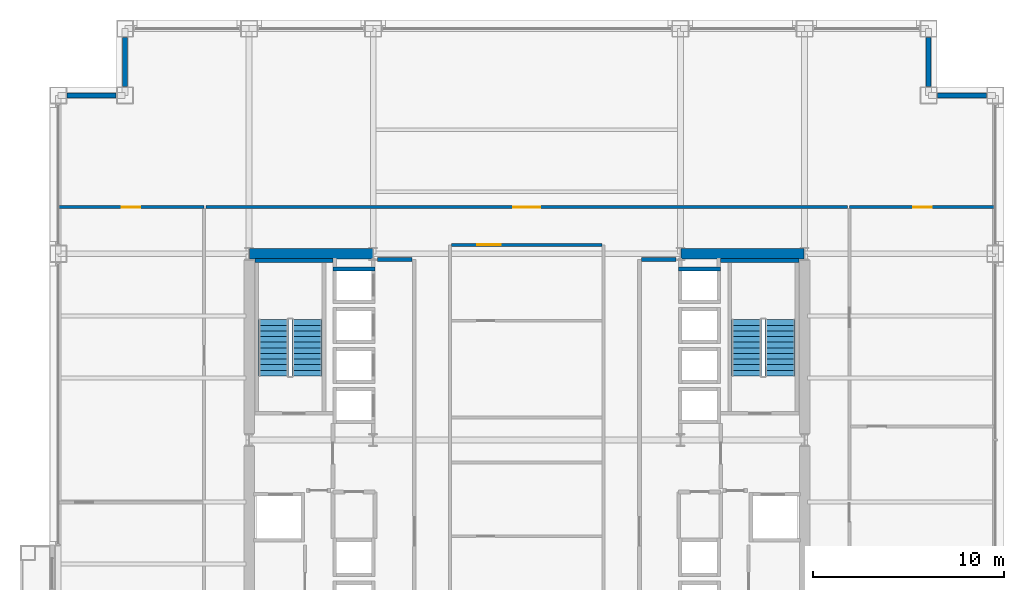
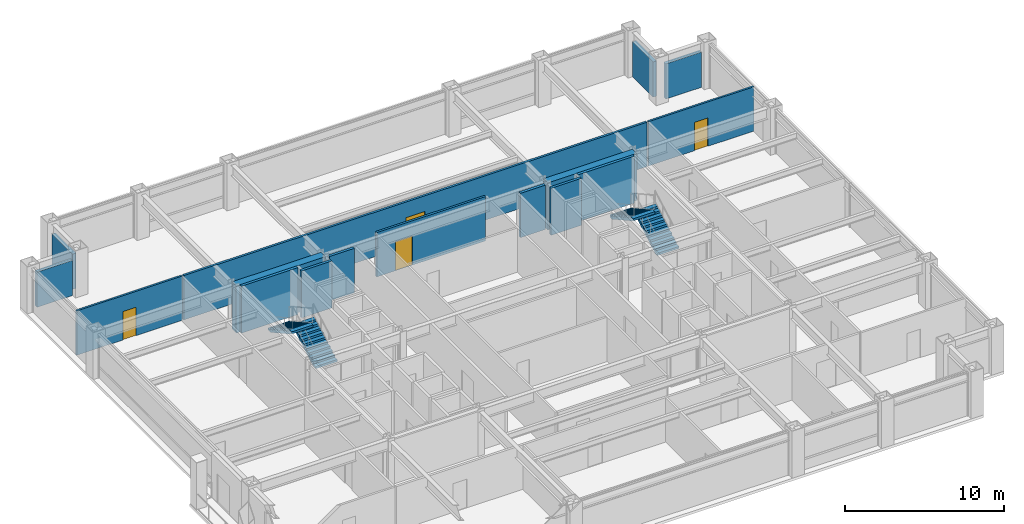
# One storey, part 27 of 29: 16 walls, 4 doors, 4 stair flights, 4 openings, 2 elements without a shape of their own.
"""IFC4 building model written with IfcOpenShell, lengths in metres."""

from ifc_helpers import new_model, si_unit, direction, frame, frame_2d, origin, place, context, subcontext, project, spatial, polyline, rectangle, outline, extrude, material, layer, layer_set, type_object, element, fill, aggregate, save


model = new_model("IFC4")

# Units and contexts
model_context = context("Model", 3, precision=1e-05, world=origin(), true_north=direction((0.0, 1.0)))
body_context = subcontext(model_context, "Body", "Model", "MODEL_VIEW")
ifc_project = project(units=[si_unit("LENGTHUNIT", "METRE"), si_unit("AREAUNIT", "SQUARE_METRE"), si_unit("VOLUMEUNIT", "CUBIC_METRE"), si_unit("PLANEANGLEUNIT", "RADIAN"), si_unit("MASSUNIT", "GRAM", prefix="KILO")], contexts=[model_context])

# Site, building, storey
site_placement = place(None, origin())
site = spatial("IfcSite", under=ifc_project, at=site_placement, CompositionType="ELEMENT")
building_placement = place(site_placement, origin())
building = spatial("IfcBuilding", under=site, at=building_placement, Name="Brelmoor Portico Tower", CompositionType="ELEMENT")
storey_placement = place(building_placement, frame((0.0, 0.0, 60.0)))
storey = spatial("IfcBuildingStorey", under=building, at=storey_placement, Name="L15", CompositionType="ELEMENT", Elevation=60.0)

# Walls
ifc_material_1 = material(Name="Concrete C60", Category="concrete")
ifc_layer_1 = layer(ifc_material_1, 0.550048828125)
ifc_layer_set_1 = layer_set([ifc_layer_1], Name="Concrete C60")
wall_type_1 = type_object("IfcWallType", Name="WL-CORE-550", PredefinedType="SHEAR", material=ifc_layer_set_1)
for number, where, z_axis, x_axis, name in (
    (1, (-14.530029296875, 9.75, -0.199951171875), (0.0, 0.0, 1.0), (1.0, 0.0, 0.0), "L15 WC North Shear Wall"),
    (2, (8.070068359375, 9.75, -0.199951171875), (0.0, 0.0, 1.0), (1.0, 0.0, 0.0), "L15 EC North Shear Wall"),
):
    element("IfcWall", number, at=place(storey_placement, frame(where, z_axis=z_axis, x_axis=x_axis)), inside=storey, type_object=wall_type_1, Name=name, PredefinedType="SHEAR", context=body_context, shape_type="SweptSolid", body=[
        extrude(rectangle(XDim=6.4599609375, YDim=0.550048828125, at=frame_2d((3.22998046875, 0.0))), origin(), (0.0, 0.0, 1.0), 3.599853515625),
    ])
ifc_material_2 = material(Name="Precast Concrete C40 Insulated Facade Wall", Category="concrete")
ifc_layer_2 = layer(ifc_material_2, 0.25)
ifc_layer_set_2 = layer_set([ifc_layer_2], Name="Precast Concrete C40 Insulated Facade Wall")
wall_type_2 = type_object("IfcWallType", Name="WL-EXT-250", PredefinedType="STANDARD", material=ifc_layer_set_2)
for number, where, z_axis, x_axis, name in (
    (3, (-24.090087890625, 18.050048828125, 0.0), (0.0, 0.0, 1.0), (1.0, 0.0, 0.0), "L15 Corner Notch Facade Wall NNWH1"),
    (4, (-21.050048828125, 18.510009765625, 0.0), (0.0, 0.0, 1.0), (0.0, 1.0, 0.0), "L15 Corner Notch Facade Wall NNWV1"),
    (5, (21.510009765625, 18.050048828125, 0.0), (0.0, 0.0, 1.0), (1.0, 0.0, 0.0), "L15 Corner Notch Facade Wall NNEH1"),
    (6, (21.050048828125, 18.510009765625, 0.0), (0.0, 0.0, 1.0), (0.0, 1.0, 0.0), "L15 Corner Notch Facade Wall NNEV1"),
):
    element("IfcWall", number, at=place(storey_placement, frame(where, z_axis=z_axis, x_axis=x_axis)), inside=storey, type_object=wall_type_2, Name=name, PredefinedType="STANDARD", context=body_context, shape_type="SweptSolid", body=[
        extrude(rectangle(XDim=2.580078125, YDim=0.25, at=frame_2d((1.2900390625, 0.0))), origin(), (0.0, 0.0, 1.0), 2.699951171875),
    ])

# Wall, opening, door
ifc_material_3 = material(Name="Insulated Stud Suite Partition", Category="gypsum")
ifc_layer_3 = layer(ifc_material_3, 0.139892578125)
ifc_layer_set_3 = layer_set([ifc_layer_3], Name="Insulated Stud Suite Partition")
wall_type_3 = type_object("IfcWallType", Name="WL-PART-140", PredefinedType="PARTITIONING", material=ifc_layer_set_3)
wall_1_placement = place(storey_placement, frame((-24.56005859375, 12.199951171875, 0.0), z_axis=(0.0, 0.0, 1.0), x_axis=(1.0, 0.0, 0.0)))
wall_1 = element("IfcWall", 7, at=wall_1_placement, inside=storey, type_object=wall_type_3, Name="L15 North Outer Closure WL", PredefinedType="PARTITIONING", context=body_context, shape_type="SweptSolid", body=[
    extrude(rectangle(XDim=7.66015625, YDim=0.139892578125, at=frame_2d((3.830078125, 0.0))), origin(), (0.0, 0.0, 1.0), 3.39990234375),
])
opening_1_placement = place(wall_1_placement, frame((3.35009765625, 0.0, 0.0)))
opening_1 = element("IfcOpeningElement", 8, at=opening_1_placement, cuts=wall_1, Name="Opening D-IN2", PredefinedType="OPENING", context=body_context, shape_type="SweptSolid", body=[
    extrude(rectangle(XDim=0.9599609375, YDim=2.179931640625, at=frame_2d((0.47998046875, 1.08984375))), frame((0.0, 0.079833984375, 0.0), z_axis=(0.0, -1.0, 0.0), x_axis=(1.0, 0.0, 0.0)), (0.0, 0.0, 1.0), 0.159912109375),
])
ifc_material_4 = material(Name="Lacquered Timber Suite Door", Category="wood")
door_type_1 = type_object("IfcDoorType", Name="DR-INT-950", OperationType="NOTDEFINED", PredefinedType="DOOR", material=ifc_material_4)
door_1_placement = place(opening_1_placement, origin())
door_1 = element("IfcDoor", 9, at=door_1_placement, inside=storey, type_object=door_type_1, Name="D-0679 L15 WL North Corner Suite Door", OperationType="SINGLE_SWING_LEFT", OverallHeight=2.179931640625, OverallWidth=0.9599609375, PredefinedType="DOOR", context=body_context, shape_type="SweptSolid", body=[
    extrude(rectangle(XDim=0.9599609375, YDim=2.179931640625, at=frame_2d((0.47998046875, 1.08984375))), frame((0.0, 0.02490234375, 0.0), z_axis=(0.0, -1.0, 0.0), x_axis=(1.0, 0.0, 0.0)), (0.0, 0.0, 1.0), 0.050048828125),
])
fill(opening_1, door_1)

wall_2_placement = place(storey_placement, frame((16.89990234375, 12.199951171875, 0.0), z_axis=(0.0, 0.0, 1.0), x_axis=(1.0, 0.0, 0.0)))
wall_2 = element("IfcWall", 10, at=wall_2_placement, inside=storey, type_object=wall_type_3, Name="L15 North Outer Closure ER", PredefinedType="PARTITIONING", context=body_context, shape_type="SweptSolid", body=[
    extrude(rectangle(XDim=7.66015625, YDim=0.139892578125, at=frame_2d((3.830078125, 0.0))), origin(), (0.0, 0.0, 1.0), 3.39990234375),
])
opening_2_placement = place(wall_2_placement, frame((3.35009765625, 0.0, 0.0)))
opening_2 = element("IfcOpeningElement", 11, at=opening_2_placement, cuts=wall_2, Name="Opening D-IN2", PredefinedType="OPENING", context=body_context, shape_type="SweptSolid", body=[
    extrude(rectangle(XDim=0.9599609375, YDim=2.179931640625, at=frame_2d((0.47998046875, 1.08984375))), frame((0.0, 0.079833984375, 0.0), z_axis=(0.0, -1.0, 0.0), x_axis=(1.0, 0.0, 0.0)), (0.0, 0.0, 1.0), 0.159912109375),
])
door_2_placement = place(opening_2_placement, origin())
door_2 = element("IfcDoor", 12, at=door_2_placement, inside=storey, type_object=door_type_1, Name="D-0678 L15 ER North Corner Suite Door", OperationType="SINGLE_SWING_RIGHT", OverallHeight=2.179931640625, OverallWidth=0.9599609375, PredefinedType="DOOR", context=body_context, shape_type="SweptSolid", body=[
    extrude(rectangle(XDim=0.9599609375, YDim=2.179931640625, at=frame_2d((0.47998046875, 1.08984375))), frame((0.0, 0.02490234375, 0.0), z_axis=(0.0, -1.0, 0.0), x_axis=(1.0, 0.0, 0.0)), (0.0, 0.0, 1.0), 0.050048828125),
])
fill(opening_2, door_2)

ifc_material_5 = material(Name="Twin-Frame Acoustic Partition", Category="gypsum")
ifc_layer_4 = layer(ifc_material_5, 0.159912109375)
ifc_layer_set_4 = layer_set([ifc_layer_4], Name="Twin-Frame Acoustic Partition")
wall_type_4 = type_object("IfcWallType", Name="WL-PART-160", PredefinedType="PARTITIONING", material=ifc_layer_set_4)
wall_3_placement = place(storey_placement, frame((-3.949951171875, 10.219970703125, 0.0), z_axis=(0.0, 0.0, 1.0), x_axis=(1.0, 0.0, 0.0)))
wall_3 = element("IfcWall", 13, at=wall_3_placement, inside=storey, type_object=wall_type_4, Name="L15 Central Meeting Corridor Wall", PredefinedType="PARTITIONING", context=body_context, shape_type="SweptSolid", body=[
    extrude(rectangle(XDim=7.89990234375, YDim=0.159912109375, at=frame_2d((3.949951171875, 0.0))), origin(), (0.0, 0.0, 1.0), 3.39990234375),
])
opening_3_placement = place(wall_3_placement, frame((1.35009765625, 0.0, 0.0)))
opening_3 = element("IfcOpeningElement", 14, at=opening_3_placement, cuts=wall_3, Name="Opening D-SU1", PredefinedType="OPENING", context=body_context, shape_type="SweptSolid", body=[
    extrude(rectangle(XDim=1.239990234375, YDim=2.239990234375, at=frame_2d((0.6201171875, 1.1201171875))), frame((0.0, 0.08984375, 0.0), z_axis=(0.0, -1.0, 0.0), x_axis=(1.0, 0.0, 0.0)), (0.0, 0.0, 1.0), 0.179931640625),
])
ifc_material_6 = material(Name="Glazed Timber Executive Suite Door", Category="wood")
door_type_2 = type_object("IfcDoorType", Name="DR-SUITE-1200", OperationType="NOTDEFINED", PredefinedType="DOOR", material=ifc_material_6)
door_3_placement = place(opening_3_placement, origin())
door_3 = element("IfcDoor", 15, at=door_3_placement, inside=storey, type_object=door_type_2, Name="D-0663 L15 Client Meeting Room Door", OperationType="SINGLE_SWING_LEFT", OverallHeight=2.239990234375, OverallWidth=1.239990234375, PredefinedType="DOOR", context=body_context, shape_type="SweptSolid", body=[
    extrude(rectangle(XDim=1.239990234375, YDim=2.239990234375, at=frame_2d((0.6201171875, 1.1201171875))), frame((0.0, 0.02490234375, 0.0), z_axis=(0.0, -1.0, 0.0), x_axis=(1.0, 0.0, 0.0)), (0.0, 0.0, 1.0), 0.050048828125),
])
fill(opening_3, door_3)

wall_4_placement = place(storey_placement, frame((-16.800048828125, 12.199951171875, 0.0), z_axis=(0.0, 0.0, 1.0), x_axis=(1.0, 0.0, 0.0)))
wall_4 = element("IfcWall", 16, at=wall_4_placement, inside=storey, type_object=wall_type_4, Name="L15 North Corridor Partition", PredefinedType="PARTITIONING", context=body_context, shape_type="SweptSolid", body=[
    extrude(rectangle(XDim=33.60009765625, YDim=0.159912109375, at=frame_2d((16.800048828125, 0.0))), origin(), (0.0, 0.0, 1.0), 3.39990234375),
])
opening_4_placement = place(wall_4_placement, frame((16.10009765625, 0.0, 0.0)))
opening_4 = element("IfcOpeningElement", 17, at=opening_4_placement, cuts=wall_4, Name="Opening D-SU2", PredefinedType="OPENING", context=body_context, shape_type="SweptSolid", body=[
    extrude(rectangle(XDim=1.39990234375, YDim=2.199951171875, at=frame_2d((0.699951171875, 1.10009765625))), frame((0.0, 0.08984375, 0.0), z_axis=(0.0, -1.0, 0.0), x_axis=(1.0, 0.0, 0.0)), (0.0, 0.0, 1.0), 0.179931640625),
])
ifc_material_7 = material(Name="Double-Leaf Acoustic Suite Door", Category="timber")
door_type_3 = type_object("IfcDoorType", Name="DR-SUITE-1400", OperationType="NOTDEFINED", PredefinedType="DOOR", material=ifc_material_7)
door_4_placement = place(opening_4_placement, origin())
door_4 = element("IfcDoor", 18, at=door_4_placement, inside=storey, type_object=door_type_3, Name="D-0677 L15 North Project Reception Concierge 1 Door", OperationType="DOUBLE_DOOR_SINGLE_SWING", OverallHeight=2.199951171875, OverallWidth=1.39990234375, PredefinedType="DOOR", context=body_context, shape_type="SweptSolid", body=[
    extrude(rectangle(XDim=1.39990234375, YDim=2.199951171875, at=frame_2d((0.699951171875, 1.10009765625))), frame((0.0, 0.02490234375, 0.0), z_axis=(0.0, -1.0, 0.0), x_axis=(1.0, 0.0, 0.0)), (0.0, 0.0, 1.0), 0.050048828125),
])
fill(opening_4, door_4)

# Walls
ifc_material_8 = material(Name="Double-Stud Gypsum Fire Partition", Category="gypsum")
ifc_layer_5 = layer(ifc_material_8, 0.199951171875)
ifc_layer_set_5 = layer_set([ifc_layer_5], Name="Double-Stud Gypsum Fire Partition")
wall_type_5 = type_object("IfcWallType", Name="WL-PART-200", PredefinedType="PARTITIONING", material=ifc_layer_set_5)
for number, where, z_axis, x_axis, name in (
    (19, (-6.02001953125, 9.449951171875, 0.0), (0.0, 0.0, 1.0), (-1.0, 0.0, 0.0), "L15 W Lift Lobby North End Wall"),
    (20, (6.02001953125, 9.449951171875, 0.0), (0.0, 0.0, 1.0), (1.0, 0.0, 0.0), "L15 E Lift Lobby North End Wall"),
):
    element("IfcWall", number, at=place(storey_placement, frame(where, z_axis=z_axis, x_axis=x_axis)), inside=storey, type_object=wall_type_5, Name=name, PredefinedType="PARTITIONING", context=body_context, shape_type="SweptSolid", body=[
        extrude(rectangle(XDim=1.800048828125, YDim=0.199951171875, at=frame_2d((0.89990234375, 0.0))), origin(), (0.0, 0.0, 1.0), 3.39990234375),
    ])
ifc_material_9 = material(Name="Precast Concrete C40", Category="concrete")
ifc_layer_6 = layer(ifc_material_9, 0.18994140625)
ifc_layer_set_6 = layer_set([ifc_layer_6], Name="Precast Concrete C40")
wall_type_6 = type_object("IfcWallType", Name="WL-SHAFT-180", PredefinedType="SOLIDWALL", material=ifc_layer_set_6)
for number, where, z_axis, x_axis, name in (
    (21, (-10.14990234375, 8.955078125, -0.199951171875), (0.0, 0.0, 1.0), (1.0, 0.0, 0.0), "L15 Lift PL4 Hoistway North Wall"),
    (22, (7.949951171875, 8.955078125, -0.199951171875), (0.0, 0.0, 1.0), (1.0, 0.0, 0.0), "L15 Lift PM4 Hoistway North Wall"),
):
    element("IfcWall", number, at=place(storey_placement, frame(where, z_axis=z_axis, x_axis=x_axis)), inside=storey, type_object=wall_type_6, Name=name, PredefinedType="SOLIDWALL", context=body_context, shape_type="SweptSolid", body=[
        extrude(rectangle(XDim=2.199951171875, YDim=0.18994140625, at=frame_2d((1.10009765625, 0.0))), origin(), (0.0, 0.0, 1.0), 3.599853515625),
    ])
ifc_material_10 = material(Name="Concrete C40", Category="concrete")
ifc_layer_7 = layer(ifc_material_10, 0.199951171875)
ifc_layer_set_7 = layer_set([ifc_layer_7], Name="Concrete C40")
wall_type_7 = type_object("IfcWallType", Name="WL-SHAFT-RC200", PredefinedType="SOLIDWALL", material=ifc_layer_set_7)
for number, where, z_axis, x_axis, name in (
    (23, (-14.25, 9.39990234375, -0.199951171875), (0.0, 0.0, 1.0), (1.0, 0.0, 0.0), "L15 ST-W Structural Stair Wall N"),
    (24, (10.14990234375, 9.39990234375, -0.199951171875), (0.0, 0.0, 1.0), (1.0, 0.0, 0.0), "L15 ST-E Structural Stair Wall N"),
):
    element("IfcWall", number, at=place(storey_placement, frame(where, z_axis=z_axis, x_axis=x_axis)), inside=storey, type_object=wall_type_7, Name=name, PredefinedType="SOLIDWALL", context=body_context, shape_type="SweptSolid", body=[
        extrude(rectangle(XDim=4.10009765625, YDim=0.199951171875, at=frame_2d((2.050048828125, 0.0))), origin(), (0.0, 0.0, 1.0), 3.599853515625),
    ])

# Stair, stair flights
stair_type_1 = type_object("IfcStairType", Name="ST-CORE-W", PredefinedType="HALF_TURN_STAIR", material=ifc_material_10)
stair_1_placement = place(storey_placement, origin())
stair_1 = element("IfcStair", 25, at=stair_1_placement, inside=storey, type_object=stair_type_1, Name="L15 Protected Core Exit Stair ST-W", PredefinedType="HALF_TURN_STAIR")
stair_flight_type = type_object("IfcStairFlightType", Name="SF-CORE-1850", PredefinedType="STRAIGHT", material=ifc_material_10)
stair_flight_1_placement = place(storey_placement, frame((-11.510009765625, 3.35009765625, 0.0), z_axis=(0.0, 0.0, 1.0), x_axis=(0.0, 1.0, 0.0)))
stair_flight_1 = element("IfcStairFlight", 26, at=stair_flight_1_placement, type_object=stair_flight_type, Name="ST-W flight 1", NumberOfRisers=11, NumberOfTreads=10, PredefinedType="STRAIGHT", RiserHeight=0.163636364, TreadLength=0.295, context=body_context, shape_type="SweptSolid", body=[
    extrude(outline(polyline([(0.0, 0.0), (0.0, 0.16357421875), (0.294921875, 0.16357421875), (0.294921875, 0.327392578125), (0.590087890625, 0.327392578125), (0.590087890625, 0.490966796875), (0.885009765625, 0.490966796875), (0.885009765625, 0.654541015625), (1.179931640625, 0.654541015625), (1.179931640625, 0.818115234375), (1.47509765625, 0.818115234375), (1.47509765625, 0.98193359375), (1.77001953125, 0.98193359375), (1.77001953125, 1.1455078125), (2.06494140625, 1.1455078125), (2.06494140625, 1.30908203125), (2.360107421875, 1.30908203125), (2.360107421875, 1.47265625), (2.655029296875, 1.47265625), (2.655029296875, 1.636474609375), (2.949951171875, 1.636474609375), (2.949951171875, 1.800048828125), (2.949951171875, 1.46484375), (0.30908203125, 0.0), (0.0, 0.0)])), frame((0.0, 0.780029296875, 0.0), z_axis=(0.0, -1.0, 0.0), x_axis=(1.0, 0.0, 0.0)), (0.0, 0.0, 1.0), 1.56005859375),
])
stair_flight_2_placement = place(storey_placement, frame((-13.27001953125, 6.300048828125, 1.800048828125), z_axis=(0.0, 0.0, 1.0), x_axis=(0.0, -1.0, 0.0)))
stair_flight_2 = element("IfcStairFlight", 27, at=stair_flight_2_placement, type_object=stair_flight_type, Name="ST-W flight 2", NumberOfRisers=11, NumberOfTreads=10, PredefinedType="STRAIGHT", RiserHeight=0.163636364, TreadLength=0.295, context=body_context, shape_type="SweptSolid", body=[
    extrude(outline(polyline([(0.0, 0.0), (0.0, 0.16357421875), (0.294921875, 0.16357421875), (0.294921875, 0.327392578125), (0.590087890625, 0.327392578125), (0.590087890625, 0.490966796875), (0.885009765625, 0.490966796875), (0.885009765625, 0.654541015625), (1.179931640625, 0.654541015625), (1.179931640625, 0.818115234375), (1.47509765625, 0.818115234375), (1.47509765625, 0.98193359375), (1.77001953125, 0.98193359375), (1.77001953125, 1.1455078125), (2.06494140625, 1.1455078125), (2.06494140625, 1.30908203125), (2.360107421875, 1.30908203125), (2.360107421875, 1.47265625), (2.655029296875, 1.47265625), (2.655029296875, 1.636474609375), (2.949951171875, 1.636474609375), (2.949951171875, 1.800048828125), (2.949951171875, 1.46484375), (0.30908203125, 0.0), (0.0, 0.0)])), frame((0.0, 0.780029296875, 0.0), z_axis=(0.0, -1.0, 0.0), x_axis=(1.0, 0.0, 0.0)), (0.0, 0.0, 1.0), 1.56005859375),
])
aggregate(stair_1, [stair_flight_1, stair_flight_2])

stair_type_2 = type_object("IfcStairType", Name="ST-CORE-E", PredefinedType="HALF_TURN_STAIR", material=ifc_material_10)
stair_2_placement = place(storey_placement, origin())
stair_2 = element("IfcStair", 28, at=stair_2_placement, inside=storey, type_object=stair_type_2, Name="L15 Protected Core Exit Stair ST-E", PredefinedType="HALF_TURN_STAIR")
stair_flight_3_placement = place(storey_placement, frame((13.27001953125, 3.35009765625, 0.0), z_axis=(0.0, 0.0, 1.0), x_axis=(0.0, 1.0, 0.0)))
stair_flight_3 = element("IfcStairFlight", 29, at=stair_flight_3_placement, type_object=stair_flight_type, Name="ST-E flight 1", NumberOfRisers=11, NumberOfTreads=10, PredefinedType="STRAIGHT", RiserHeight=0.163636364, TreadLength=0.295, context=body_context, shape_type="SweptSolid", body=[
    extrude(outline(polyline([(0.0, 0.0), (0.0, 0.16357421875), (0.294921875, 0.16357421875), (0.294921875, 0.327392578125), (0.590087890625, 0.327392578125), (0.590087890625, 0.490966796875), (0.885009765625, 0.490966796875), (0.885009765625, 0.654541015625), (1.179931640625, 0.654541015625), (1.179931640625, 0.818115234375), (1.47509765625, 0.818115234375), (1.47509765625, 0.98193359375), (1.77001953125, 0.98193359375), (1.77001953125, 1.1455078125), (2.06494140625, 1.1455078125), (2.06494140625, 1.30908203125), (2.360107421875, 1.30908203125), (2.360107421875, 1.47265625), (2.655029296875, 1.47265625), (2.655029296875, 1.636474609375), (2.949951171875, 1.636474609375), (2.949951171875, 1.800048828125), (2.949951171875, 1.46484375), (0.30908203125, 0.0), (0.0, 0.0)])), frame((0.0, 0.780029296875, 0.0), z_axis=(0.0, -1.0, 0.0), x_axis=(1.0, 0.0, 0.0)), (0.0, 0.0, 1.0), 1.56005859375),
])
stair_flight_4_placement = place(storey_placement, frame((11.510009765625, 6.300048828125, 1.800048828125), z_axis=(0.0, 0.0, 1.0), x_axis=(0.0, -1.0, 0.0)))
stair_flight_4 = element("IfcStairFlight", 30, at=stair_flight_4_placement, type_object=stair_flight_type, Name="ST-E flight 2", NumberOfRisers=11, NumberOfTreads=10, PredefinedType="STRAIGHT", RiserHeight=0.163636364, TreadLength=0.295, context=body_context, shape_type="SweptSolid", body=[
    extrude(outline(polyline([(0.0, 0.0), (0.0, 0.16357421875), (0.294921875, 0.16357421875), (0.294921875, 0.327392578125), (0.590087890625, 0.327392578125), (0.590087890625, 0.490966796875), (0.885009765625, 0.490966796875), (0.885009765625, 0.654541015625), (1.179931640625, 0.654541015625), (1.179931640625, 0.818115234375), (1.47509765625, 0.818115234375), (1.47509765625, 0.98193359375), (1.77001953125, 0.98193359375), (1.77001953125, 1.1455078125), (2.06494140625, 1.1455078125), (2.06494140625, 1.30908203125), (2.360107421875, 1.30908203125), (2.360107421875, 1.47265625), (2.655029296875, 1.47265625), (2.655029296875, 1.636474609375), (2.949951171875, 1.636474609375), (2.949951171875, 1.800048828125), (2.949951171875, 1.46484375), (0.30908203125, 0.0), (0.0, 0.0)])), frame((0.0, 0.780029296875, 0.0), z_axis=(0.0, -1.0, 0.0), x_axis=(1.0, 0.0, 0.0)), (0.0, 0.0, 1.0), 1.56005859375),
])
aggregate(stair_2, [stair_flight_3, stair_flight_4])

save(model, "model.ifc")
